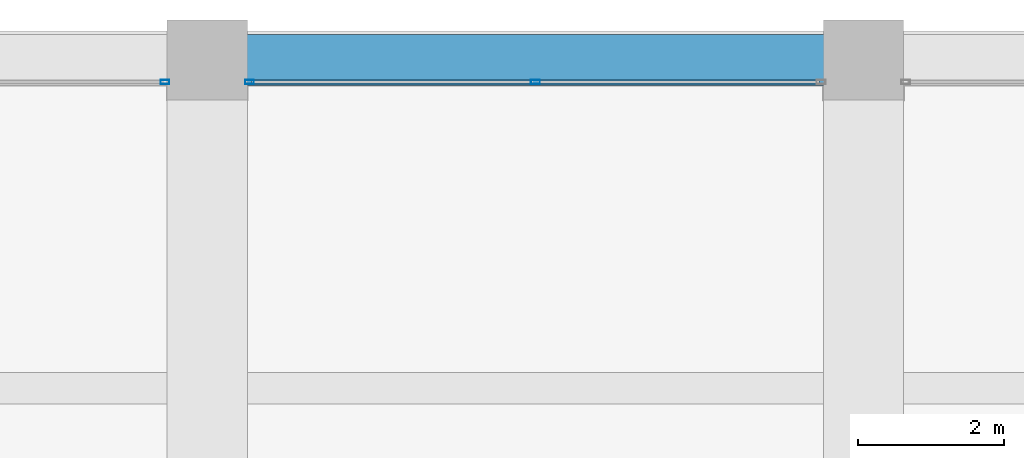
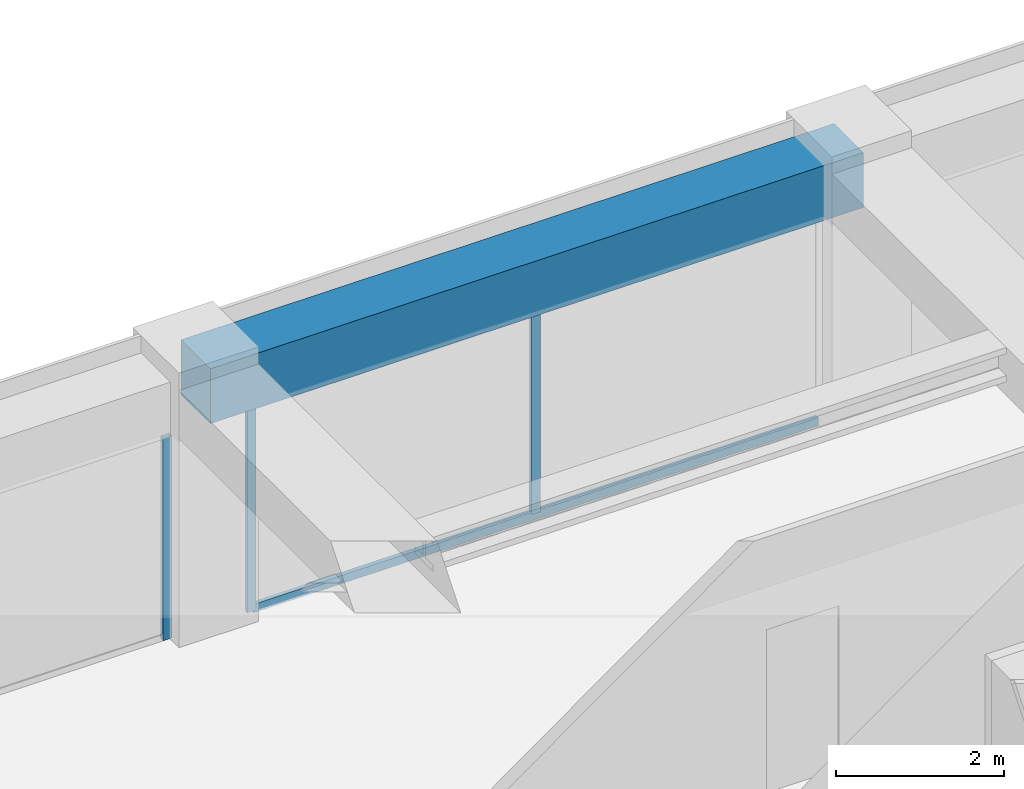
# One storey, part 33 of 44: 4 members, 1 beam, 2 elements without a shape of their own.
"""IFC4 building model written with IfcOpenShell, lengths in metres."""

from ifc_helpers import new_model, si_unit, direction, frame, origin, origin_2d, place, context, subcontext, project, spatial, rectangle, hollow_rectangle, extrude, material, material_profile, profile_set, type_object, element, aggregate, save


model = new_model("IFC4")

# Units and contexts
model_context = context("Model", 3, precision=1e-05, world=origin(), true_north=direction((0.0, 1.0)))
body_context = subcontext(model_context, "Body", "Model", "MODEL_VIEW")
ifc_project = project(units=[si_unit("LENGTHUNIT", "METRE"), si_unit("AREAUNIT", "SQUARE_METRE"), si_unit("VOLUMEUNIT", "CUBIC_METRE"), si_unit("PLANEANGLEUNIT", "RADIAN"), si_unit("MASSUNIT", "GRAM", prefix="KILO")], contexts=[model_context])

# Site, building, storey
site_placement = place(None, origin())
site = spatial("IfcSite", under=ifc_project, at=site_placement, CompositionType="ELEMENT")
building_placement = place(site_placement, origin())
building = spatial("IfcBuilding", under=site, at=building_placement, Name="Zorevar Civic Tower", CompositionType="ELEMENT")
storey_placement = place(building_placement, frame((0.0, 0.0, 259.39990234375)))
storey = spatial("IfcBuildingStorey", under=building, at=storey_placement, Name="L63", CompositionType="ELEMENT", Elevation=259.39990234375)

# Curtain wall, member
ifc_material_1 = material(Name="Dark grey solar-control glass in black aluminium frame", Category="aluminium")
curtain_wall_type = type_object("IfcCurtainWallType", Name="Curtain wall CW5 top zone", PredefinedType="NOTDEFINED", material=ifc_material_1)
curtain_wall_1_placement = place(storey_placement, origin())
curtain_wall_1 = element("IfcCurtainWall", 1, at=curtain_wall_1_placement, inside=storey, type_object=curtain_wall_type, Name="CW5 L63", PredefinedType="NOTDEFINED")
ifc_material_2 = material(Name="Aluminium, black anodised", Category="aluminium")
ifc_material_profile_1 = material_profile(ifc_material_2, hollow_rectangle(XDim=0.06005859375, YDim=0.1201171875, WallThickness=0.0029296875, at=origin_2d()), Name="AL 120x60x3")
ifc_profile_set_1 = profile_set([ifc_material_profile_1], Name="Aluminium, black anodised")
member_type_1 = type_object("IfcMemberType", Name="CW5 mullion AL 120x60x3", PredefinedType="MULLION", material=ifc_profile_set_1)
member_1_placement = place(storey_placement, frame((26.419921875, 44.699951171875, 0.0), z_axis=(0.0, 0.0, 1.0), x_axis=(0.0, 1.0, 0.0)))
member_1 = element("IfcMember", 2, at=member_1_placement, type_object=member_type_1, Name="CW5 mullion 3", PredefinedType="MULLION", context=body_context, shape_type="SweptSolid", body=[
    extrude(hollow_rectangle(XDim=0.06005859375, YDim=0.1201171875, WallThickness=0.0029296875, at=origin_2d()), origin(), (0.0, 0.0, 1.0), 2.9501953125),
])
aggregate(curtain_wall_1, [member_1])

# Curtain wall, members
curtain_wall_2_placement = place(storey_placement, origin())
curtain_wall_2 = element("IfcCurtainWall", 3, at=curtain_wall_2_placement, inside=storey, type_object=curtain_wall_type, Name="CW5 L63", PredefinedType="NOTDEFINED")
member_2_placement = place(storey_placement, frame((27.580078125, 44.699951171875, 0.0), z_axis=(0.0, 0.0, 1.0), x_axis=(0.0, 1.0, 0.0)))
member_2 = element("IfcMember", 4, at=member_2_placement, type_object=member_type_1, Name="CW5 mullion 1", PredefinedType="MULLION", context=body_context, shape_type="SweptSolid", body=[
    extrude(hollow_rectangle(XDim=0.06005859375, YDim=0.1201171875, WallThickness=0.0029296875, at=origin_2d()), origin(), (0.0, 0.0, 1.0), 2.9501953125),
])
member_3_placement = place(storey_placement, frame((31.5, 44.699951171875, 0.06005859375), z_axis=(0.0, 0.0, 1.0), x_axis=(0.0, 1.0, 0.0)))
member_3 = element("IfcMember", 5, at=member_3_placement, type_object=member_type_1, Name="CW5 mullion 2", PredefinedType="MULLION", context=body_context, shape_type="SweptSolid", body=[
    extrude(hollow_rectangle(XDim=0.06005859375, YDim=0.1201171875, WallThickness=0.0029296875, at=origin_2d()), origin(), (0.0, 0.0, 1.0), 2.89013671875),
])
ifc_material_3 = material(Name="Aluminium, black anodised", Category="aluminium")
ifc_material_profile_2 = material_profile(ifc_material_3, hollow_rectangle(XDim=0.06005859375, YDim=0.1201171875, WallThickness=0.0029296875, at=origin_2d()), Name="AL 120x60x3")
ifc_profile_set_2 = profile_set([ifc_material_profile_2], Name="Aluminium, black anodised")
member_type_2 = type_object("IfcMemberType", Name="CW5 transom AL 120x60x3", PredefinedType="USERDEFINED", material=ifc_profile_set_2)
member_4_placement = place(storey_placement, frame((27.610107421875, 44.699951171875, 0.030029296875), z_axis=(1.0, 0.0, 0.0), x_axis=(0.0, 1.0, 0.0)))
member_4 = element("IfcMember", 6, at=member_4_placement, type_object=member_type_2, Name="CW5 sill transom", ObjectType="TRANSOM", PredefinedType="USERDEFINED", context=body_context, shape_type="SweptSolid", body=[
    extrude(hollow_rectangle(XDim=0.06005859375, YDim=0.1201171875, WallThickness=0.0029296875, at=origin_2d()), origin(), (0.0, 0.0, 1.0), 7.77978515625),
])
aggregate(curtain_wall_2, [member_2, member_3, member_4])

# Beam
ifc_material_4 = material(Name="Concrete C50/60", Category="concrete")
ifc_material_profile_3 = material_profile(ifc_material_4, rectangle(XDim=0.699951171875, YDim=0.800048828125, at=origin_2d()), Name="RC 700x800")
ifc_profile_set_3 = profile_set([ifc_material_profile_3], Name="Concrete C50/60")
beam_type = type_object("IfcBeamType", Name="Edge beam RC 700x800", PredefinedType="SPANDREL", material=ifc_profile_set_3)
beam_placement = place(storey_placement, frame((27.0, 45.0, 3.35009765625), z_axis=(1.0, 0.0, 0.0), x_axis=(0.0, 1.0, 0.0)))
element("IfcBeam", 7, at=beam_placement, inside=storey, type_object=beam_type, Name="Edge beam L64", PredefinedType="SPANDREL", context=body_context, shape_type="SweptSolid", body=[
    extrude(rectangle(XDim=0.699951171875, YDim=0.800048828125, at=origin_2d()), origin(), (0.0, 0.0, 1.0), 9.0),
])

save(model, "model.ifc")
